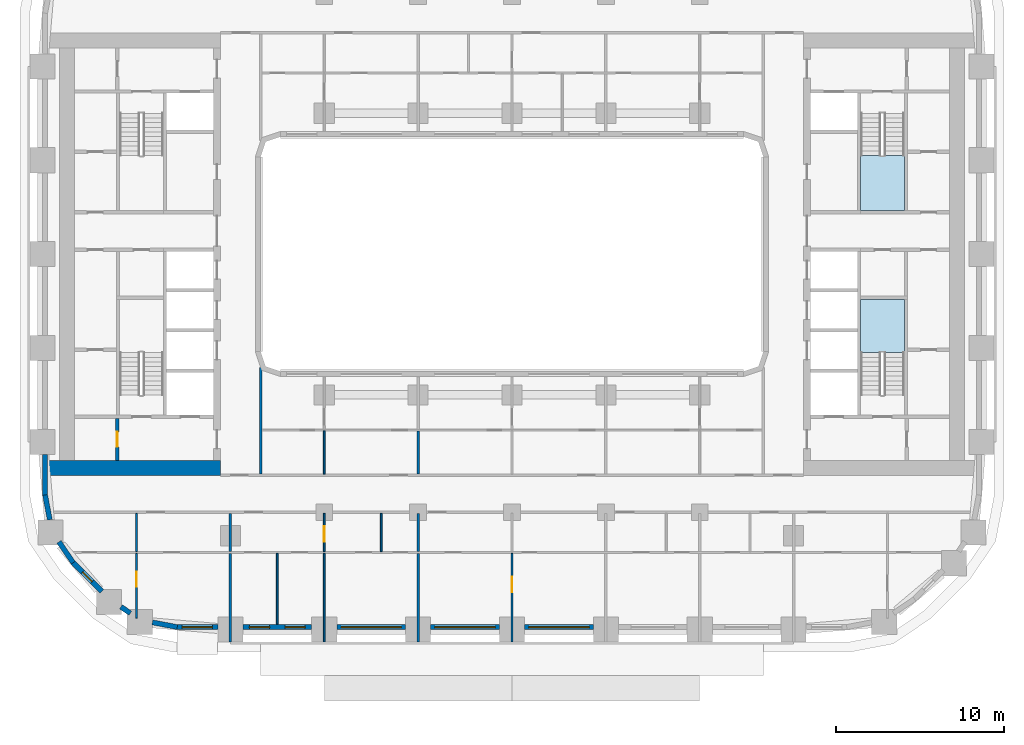
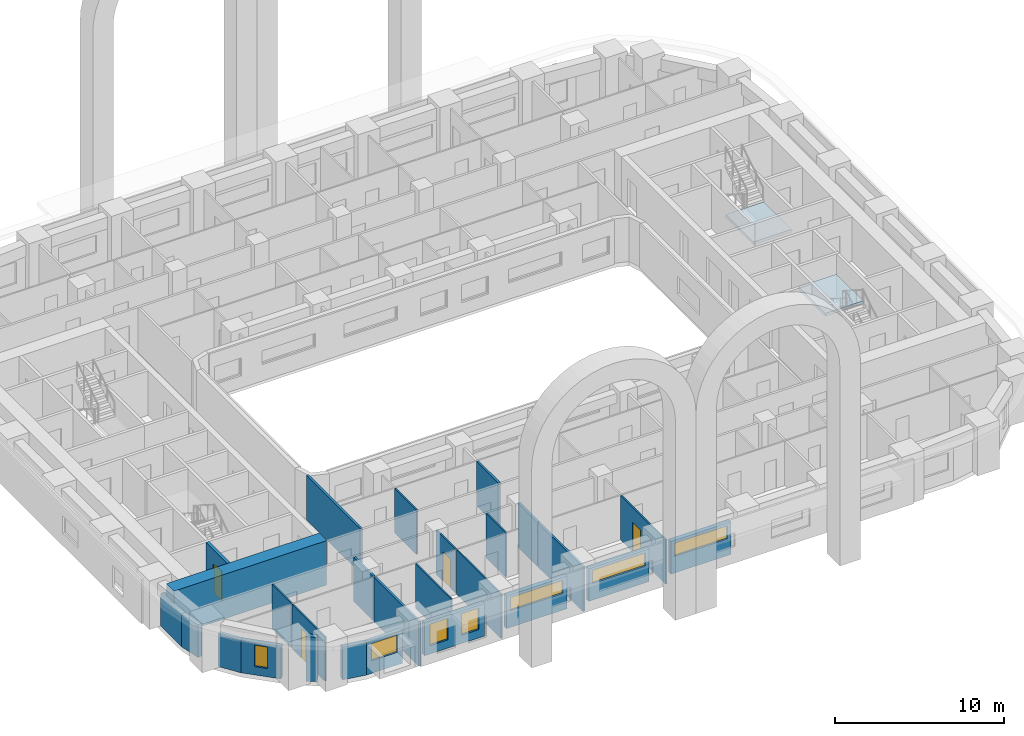
# One storey, part 2 of 21: 27 walls, 7 windows, 4 doors, 2 slabs, 11 openings, 2 elements without a shape of their own.
"""IFC4 building model written with IfcOpenShell, lengths in metres."""

from ifc_helpers import new_model, si_unit, direction, frame, frame_2d, origin, place, context, subcontext, project, spatial, polyline, rectangle, outline, extrude, material, layer, layer_set, type_object, element, fill, aggregate, save


model = new_model("IFC4")

# Units and contexts
model_context = context("Model", 3, precision=1e-05, world=origin(), true_north=direction((0.0, 1.0)))
body_context = subcontext(model_context, "Body", "Model", "MODEL_VIEW")
ifc_project = project(units=[si_unit("LENGTHUNIT", "METRE"), si_unit("AREAUNIT", "SQUARE_METRE"), si_unit("VOLUMEUNIT", "CUBIC_METRE"), si_unit("PLANEANGLEUNIT", "RADIAN"), si_unit("MASSUNIT", "GRAM", prefix="KILO")], contexts=[model_context])

# Site, building, storey
site_placement = place(None, origin())
site = spatial("IfcSite", under=ifc_project, at=site_placement, CompositionType="ELEMENT")
building_placement = place(site_placement, origin())
building = spatial("IfcBuilding", under=site, at=building_placement, Name="Kiln Ring Residences", CompositionType="ELEMENT")
storey_placement = place(building_placement, frame((0.0, 0.0, 51.5)))
storey = spatial("IfcBuildingStorey", under=building, at=storey_placement, Name="L12", CompositionType="ELEMENT", Elevation=51.5)

# Stair, slab
ifc_material_1 = material(Name="Concrete C40/50", Category="concrete")
stair_type = type_object("IfcStairType", Name="CORE-STAIR", PredefinedType="HALF_TURN_STAIR", material=ifc_material_1)
placement_1 = place(storey_placement, origin())
stair_1 = element("IfcStair", 1, at=placement_1, inside=storey, type_object=stair_type, Name="L12 stair E-STN", PredefinedType="HALF_TURN_STAIR")
ifc_material_2 = material(Name="Concrete C40/50", Category="concrete")
ifc_layer_1 = layer(ifc_material_2, 0.199951171875)
ifc_layer_set_1 = layer_set([ifc_layer_1], Name="CORE-STAIR-LANDING")
slab_type = type_object("IfcSlabType", Name="CORE-STAIR-LANDING", PredefinedType="LANDING", material=ifc_layer_set_1)
placement_2 = place(storey_placement, frame((0.0, 0.0, 1.550048828125)))
slab_1 = element("IfcSlab", 2, at=placement_2, type_object=slab_type, Name="E-STN landing 1", PredefinedType="LANDING", context=body_context, shape_type="SweptSolid", body=[
    extrude(outline(polyline([(20.800048828125, 5.8798828125), (20.800048828125, 2.60009765625), (23.39990234375, 2.60009765625), (23.39990234375, 5.8798828125), (20.800048828125, 5.8798828125)])), origin(), (0.0, 0.0, 1.0), 0.199951171875),
])
aggregate(stair_1, [slab_1])

stair_2 = element("IfcStair", 3, at=placement_1, inside=storey, type_object=stair_type, Name="L12 stair E-STS", PredefinedType="HALF_TURN_STAIR")
slab_2 = element("IfcSlab", 4, at=placement_2, type_object=slab_type, Name="E-STS landing 1", PredefinedType="LANDING", context=body_context, shape_type="SweptSolid", body=[
    extrude(outline(polyline([(23.39990234375, -5.8798828125), (23.39990234375, -2.699951171875), (20.800048828125, -2.699951171875), (20.800048828125, -5.8798828125), (23.39990234375, -5.8798828125)])), origin(), (0.0, 0.0, 1.0), 0.199951171875),
])
aggregate(stair_2, [slab_2])

# Wall, opening, door
ifc_material_3 = material(Name="Gypsum board on steel studs", Category="steel")
ifc_layer_2 = layer(ifc_material_3, 0.199951171875)
ifc_layer_set_2 = layer_set([ifc_layer_2], Name="CORE-PARTITION-200")
wall_type_1 = type_object("IfcWallType", Name="CORE-PARTITION-200", PredefinedType="PARTITIONING", material=ifc_layer_set_2)
wall_1_placement = place(storey_placement, frame((-23.550048828125, -12.300048828125, 0.0), z_axis=(0.0, 0.0, 1.0), x_axis=(0.0, 1.0, 0.0)))
wall_1 = element("IfcWall", 5, at=wall_1_placement, inside=storey, type_object=wall_type_1, Name="Core partition west L12 4", PredefinedType="PARTITIONING", context=body_context, shape_type="SweptSolid", body=[
    extrude(rectangle(XDim=2.5, YDim=0.199951171875, at=frame_2d((1.25, 0.0))), origin(), (0.0, 0.0, 1.0), 3.199951171875),
])
opening_1_placement = place(wall_1_placement, frame((0.800048828125, 0.0, 0.0)))
opening_1 = element("IfcOpeningElement", 6, at=opening_1_placement, cuts=wall_1, Name="Opening L12-CW10", PredefinedType="OPENING", context=body_context, shape_type="SweptSolid", body=[
    extrude(rectangle(XDim=0.89990234375, YDim=2.10009765625, at=frame_2d((0.449951171875, 1.050048828125))), frame((0.0, 0.10986328125, 0.0), z_axis=(0.0, -1.0, 0.0), x_axis=(1.0, 0.0, 0.0)), (0.0, 0.0, 1.0), 0.219970703125),
])
ifc_material_4 = material(Name="Steel door leaf", Category="steel")
door_type_1 = type_object("IfcDoorType", Name="CORE-DOOR-ROOM", OperationType="SINGLE_SWING_LEFT", PredefinedType="DOOR", material=ifc_material_4)
door_1_placement = place(opening_1_placement, origin())
door_1 = element("IfcDoor", 7, at=door_1_placement, inside=storey, type_object=door_type_1, Name="Store L12-CW10", OperationType="SINGLE_SWING_RIGHT", OverallHeight=2.10009765625, OverallWidth=0.89990234375, PredefinedType="DOOR", context=body_context, shape_type="SweptSolid", body=[
    extrude(rectangle(XDim=0.89990234375, YDim=2.10009765625, at=frame_2d((0.449951171875, 1.050048828125))), frame((0.0, 0.02490234375, 0.0), z_axis=(0.0, -1.0, 0.0), x_axis=(1.0, 0.0, 0.0)), (0.0, 0.0, 1.0), 0.050048828125),
])
fill(opening_1, door_1)

# Wall
ifc_material_5 = material(Name="Concrete C60/75", Category="concrete")
ifc_layer_3 = layer(ifc_material_5, 0.89990234375)
ifc_layer_set_3 = layer_set([ifc_layer_3], Name="CORE-WALL-RC900")
wall_type_2 = type_object("IfcWallType", Name="CORE-WALL-RC900", PredefinedType="SHEAR", material=ifc_layer_set_3)
wall_2_placement = place(storey_placement, frame((-17.39990234375, -12.75, 0.0), z_axis=(0.0, 0.0, 1.0), x_axis=(-1.0, 0.0, 0.0)))
element("IfcWall", 8, at=wall_2_placement, inside=storey, type_object=wall_type_2, Name="Core wall west L12 5", PredefinedType="SHEAR", context=body_context, shape_type="SweptSolid", body=[
    extrude(rectangle(XDim=10.400146484375, YDim=0.89990234375, at=frame_2d((5.2001953125, 0.0))), origin(), (0.0, 0.0, 1.0), 3.199951171875),
])

# Wall, opening, window
ifc_material_6 = material(Name="Brick masonry, dark clay brick", Category="masonry")
ifc_layer_4 = layer(ifc_material_6, 0.300048828125)
ifc_layer_set_4 = layer_set([ifc_layer_4], Name="EW-300 BRICK WALL")
wall_type_3 = type_object("IfcWallType", Name="EW-300 BRICK WALL", PredefinedType="SOLIDWALL", material=ifc_layer_set_4)
wall_3_placement = place(storey_placement, frame((-26.19677734375, -18.390869140625, 0.0), z_axis=(0.0, 0.0, 1.0), x_axis=(0.707106781187, -0.707106781187, 0.0)))
wall_3 = element("IfcWall", 9, at=wall_3_placement, inside=storey, type_object=wall_type_3, Name="Facade wall L12 1", PredefinedType="SOLIDWALL", context=body_context, shape_type="SweptSolid", body=[
    extrude(rectangle(XDim=2.449951171875, YDim=0.300048828125, at=frame_2d((1.22509765625, 0.0))), origin(), (0.0, 0.0, 1.0), 2.35009765625),
])
opening_2_placement = place(wall_3_placement, frame((0.824951171875, 0.0, 0.60009765625)))
opening_2 = element("IfcOpeningElement", 10, at=opening_2_placement, cuts=wall_3, Name="Opening W5", PredefinedType="OPENING", context=body_context, shape_type="SweptSolid", body=[
    extrude(rectangle(XDim=0.800048828125, YDim=1.550048828125, at=frame_2d((0.39990234375, 0.77490234375))), frame((0.0, 0.159912109375, 0.0), z_axis=(0.0, -1.0, 0.0), x_axis=(1.0, 0.0, 0.0)), (0.0, 0.0, 1.0), 0.320068359375),
])
ifc_material_7 = material(Name="Aluminium frame with double glazing", Category="aluminium")
window_type_1 = type_object("IfcWindowType", Name="WINDOW 800 x 1550", PartitioningType="SINGLE_PANEL", PredefinedType="WINDOW", material=ifc_material_7)
window_1_placement = place(opening_2_placement, origin())
window_1 = element("IfcWindow", 11, at=window_1_placement, inside=storey, type_object=window_type_1, Name="Window L12 1", OverallHeight=1.550048828125, OverallWidth=0.800048828125, PartitioningType="SINGLE_PANEL", PredefinedType="WINDOW", context=body_context, shape_type="SweptSolid", body=[
    extrude(rectangle(XDim=0.800048828125, YDim=1.550048828125, at=frame_2d((0.39990234375, 0.77490234375))), frame((0.0, 0.030029296875, 0.0), z_axis=(0.0, -1.0, 0.0), x_axis=(1.0, 0.0, 0.0)), (0.0, 0.0, 1.0), 0.06005859375),
])
fill(opening_2, window_1)

# Walls
wall_4_placement = place(storey_placement, frame((-23.3271484375, -21.044921875, 0.0), z_axis=(0.0, 0.0, 1.0), x_axis=(0.827080706709, -0.562083182981, 0.0)))
element("IfcWall", 12, at=wall_4_placement, inside=storey, type_object=wall_type_3, Name="Facade wall L12 2", PredefinedType="SOLIDWALL", context=body_context, shape_type="SweptSolid", body=[
    extrude(rectangle(XDim=0.67724609375, YDim=0.300048828125, at=frame_2d((0.338623046875, 0.0))), origin(), (0.0, 0.0, 1.0), 3.199951171875),
])
wall_5_placement = place(storey_placement, frame((-21.451416015625, -21.970458984375, 0.0), z_axis=(0.0, 0.0, 1.0), x_axis=(0.982287454367, -0.187380247071, 0.0)))
element("IfcWall", 13, at=wall_5_placement, inside=storey, type_object=wall_type_3, Name="Facade wall L12 3", PredefinedType="SOLIDWALL", context=body_context, shape_type="SweptSolid", body=[
    extrude(rectangle(XDim=1.506103515625, YDim=0.300048828125, at=frame_2d((0.7529296875, 0.0))), origin(), (0.0, 0.0, 1.0), 2.35009765625),
])

# Wall, opening, window
wall_6_placement = place(storey_placement, frame((-20.0, -22.25, 0.0), z_axis=(0.0, 0.0, 1.0), x_axis=(1.0, 0.0, 0.0)))
wall_6 = element("IfcWall", 14, at=wall_6_placement, inside=storey, type_object=wall_type_3, Name="Facade wall L12 4", PredefinedType="SOLIDWALL", context=body_context, shape_type="SweptSolid", body=[
    extrude(rectangle(XDim=2.449951171875, YDim=0.300048828125, at=frame_2d((1.22509765625, 0.0))), origin(), (0.0, 0.0, 1.0), 2.35009765625),
])
opening_3_placement = place(wall_6_placement, frame((0.324951171875, 0.0, 0.89990234375)))
opening_3 = element("IfcOpeningElement", 15, at=opening_3_placement, cuts=wall_6, Name="Opening W2", PredefinedType="OPENING", context=body_context, shape_type="SweptSolid", body=[
    extrude(rectangle(XDim=1.800048828125, YDim=1.25, at=frame_2d((0.89990234375, 0.625))), frame((0.0, 0.159912109375, 0.0), z_axis=(0.0, -1.0, 0.0), x_axis=(1.0, 0.0, 0.0)), (0.0, 0.0, 1.0), 0.320068359375),
])
ifc_material_8 = material(Name="Aluminium frame with double glazing", Category="aluminium")
window_type_2 = type_object("IfcWindowType", Name="WINDOW 1800 x 1250", PartitioningType="SINGLE_PANEL", PredefinedType="WINDOW", material=ifc_material_8)
window_2_placement = place(opening_3_placement, origin())
window_2 = element("IfcWindow", 16, at=window_2_placement, inside=storey, type_object=window_type_2, Name="Window L12 2", OverallHeight=1.25, OverallWidth=1.800048828125, PartitioningType="SINGLE_PANEL", PredefinedType="WINDOW", context=body_context, shape_type="SweptSolid", body=[
    extrude(rectangle(XDim=1.800048828125, YDim=1.25, at=frame_2d((0.89990234375, 0.625))), frame((0.0, 0.030029296875, 0.0), z_axis=(0.0, -1.0, 0.0), x_axis=(1.0, 0.0, 0.0)), (0.0, 0.0, 1.0), 0.06005859375),
])
fill(opening_3, window_2)

# Wall, openings, windows
wall_7_placement = place(storey_placement, frame((-16.050048828125, -22.25, 0.0), z_axis=(0.0, 0.0, 1.0), x_axis=(1.0, 0.0, 0.0)))
wall_7 = element("IfcWall", 17, at=wall_7_placement, inside=storey, type_object=wall_type_3, Name="Facade wall L12 5", PredefinedType="SOLIDWALL", context=body_context, shape_type="SweptSolid", body=[
    extrude(rectangle(XDim=4.10009765625, YDim=0.300048828125, at=frame_2d((2.050048828125, 0.0))), origin(), (0.0, 0.0, 1.0), 2.35009765625),
])
opening_4_placement = place(wall_7_placement, frame((0.387451171875, 0.0, 0.60009765625)))
opening_4 = element("IfcOpeningElement", 18, at=opening_4_placement, cuts=wall_7, Name="Opening W1", PredefinedType="OPENING", context=body_context, shape_type="SweptSolid", body=[
    extrude(rectangle(XDim=1.199951171875, YDim=1.550048828125, at=frame_2d((0.60009765625, 0.77490234375))), frame((0.0, 0.159912109375, 0.0), z_axis=(0.0, -1.0, 0.0), x_axis=(1.0, 0.0, 0.0)), (0.0, 0.0, 1.0), 0.320068359375),
])
opening_5_placement = place(wall_7_placement, frame((2.512451171875, 0.0, 0.60009765625)))
opening_5 = element("IfcOpeningElement", 19, at=opening_5_placement, cuts=wall_7, Name="Opening W1", PredefinedType="OPENING", context=body_context, shape_type="SweptSolid", body=[
    extrude(rectangle(XDim=1.199951171875, YDim=1.550048828125, at=frame_2d((0.60009765625, 0.77490234375))), frame((0.0, 0.159912109375, 0.0), z_axis=(0.0, -1.0, 0.0), x_axis=(1.0, 0.0, 0.0)), (0.0, 0.0, 1.0), 0.320068359375),
])
ifc_material_9 = material(Name="Aluminium frame with double glazing", Category="aluminium")
window_type_3 = type_object("IfcWindowType", Name="WINDOW 1200 x 1550", PartitioningType="SINGLE_PANEL", PredefinedType="WINDOW", material=ifc_material_9)
window_3_placement = place(opening_4_placement, origin())
window_3 = element("IfcWindow", 20, at=window_3_placement, inside=storey, type_object=window_type_3, Name="Window L12 3", OverallHeight=1.550048828125, OverallWidth=1.199951171875, PartitioningType="SINGLE_PANEL", PredefinedType="WINDOW", context=body_context, shape_type="SweptSolid", body=[
    extrude(rectangle(XDim=1.199951171875, YDim=1.550048828125, at=frame_2d((0.60009765625, 0.77490234375))), frame((0.0, 0.030029296875, 0.0), z_axis=(0.0, -1.0, 0.0), x_axis=(1.0, 0.0, 0.0)), (0.0, 0.0, 1.0), 0.06005859375),
])
fill(opening_4, window_3)
window_4_placement = place(opening_5_placement, origin())
window_4 = element("IfcWindow", 21, at=window_4_placement, inside=storey, type_object=window_type_3, Name="Window L12 4", OverallHeight=1.550048828125, OverallWidth=1.199951171875, PartitioningType="SINGLE_PANEL", PredefinedType="WINDOW", context=body_context, shape_type="SweptSolid", body=[
    extrude(rectangle(XDim=1.199951171875, YDim=1.550048828125, at=frame_2d((0.60009765625, 0.77490234375))), frame((0.0, 0.030029296875, 0.0), z_axis=(0.0, -1.0, 0.0), x_axis=(1.0, 0.0, 0.0)), (0.0, 0.0, 1.0), 0.06005859375),
])
fill(opening_5, window_4)

# Wall, opening, window
wall_8_placement = place(storey_placement, frame((-10.449951171875, -22.25, 0.0), z_axis=(0.0, 0.0, 1.0), x_axis=(1.0, 0.0, 0.0)))
wall_8 = element("IfcWall", 22, at=wall_8_placement, inside=storey, type_object=wall_type_3, Name="Facade wall L12 6", PredefinedType="SOLIDWALL", context=body_context, shape_type="SweptSolid", body=[
    extrude(rectangle(XDim=4.099853515625, YDim=0.300048828125, at=frame_2d((2.0498046875, 0.0))), origin(), (0.0, 0.0, 1.0), 2.35009765625),
])
opening_6_placement = place(wall_8_placement, frame((0.25, 0.0, 1.199951171875)))
opening_6 = element("IfcOpeningElement", 23, at=opening_6_placement, cuts=wall_8, Name="Opening W4", PredefinedType="OPENING", context=body_context, shape_type="SweptSolid", body=[
    extrude(rectangle(XDim=3.60009765625, YDim=0.949951171875, at=frame_2d((1.800048828125, 0.47509765625))), frame((0.0, 0.159912109375, 0.0), z_axis=(0.0, -1.0, 0.0), x_axis=(1.0, 0.0, 0.0)), (0.0, 0.0, 1.0), 0.320068359375),
])
ifc_material_10 = material(Name="Aluminium frame with double glazing", Category="aluminium")
window_type_4 = type_object("IfcWindowType", Name="WINDOW 3600 x 950", PartitioningType="SINGLE_PANEL", PredefinedType="WINDOW", material=ifc_material_10)
window_5_placement = place(opening_6_placement, origin())
window_5 = element("IfcWindow", 24, at=window_5_placement, inside=storey, type_object=window_type_4, Name="Window L12 5", OverallHeight=0.949951171875, OverallWidth=3.60009765625, PartitioningType="SINGLE_PANEL", PredefinedType="WINDOW", context=body_context, shape_type="SweptSolid", body=[
    extrude(rectangle(XDim=3.60009765625, YDim=0.949951171875, at=frame_2d((1.800048828125, 0.47509765625))), frame((0.0, 0.030029296875, 0.0), z_axis=(0.0, -1.0, 0.0), x_axis=(1.0, 0.0, 0.0)), (0.0, 0.0, 1.0), 0.06005859375),
])
fill(opening_6, window_5)

wall_9_placement = place(storey_placement, frame((-4.85009765625, -22.25, 0.0), z_axis=(0.0, 0.0, 1.0), x_axis=(1.0, 0.0, 0.0)))
wall_9 = element("IfcWall", 25, at=wall_9_placement, inside=storey, type_object=wall_type_3, Name="Facade wall L12 7", PredefinedType="SOLIDWALL", context=body_context, shape_type="SweptSolid", body=[
    extrude(rectangle(XDim=4.10009765625, YDim=0.300048828125, at=frame_2d((2.050048828125, 0.0))), origin(), (0.0, 0.0, 1.0), 2.35009765625),
])
opening_7_placement = place(wall_9_placement, frame((0.25, 0.0, 1.199951171875)))
opening_7 = element("IfcOpeningElement", 26, at=opening_7_placement, cuts=wall_9, Name="Opening W4", PredefinedType="OPENING", context=body_context, shape_type="SweptSolid", body=[
    extrude(rectangle(XDim=3.60009765625, YDim=0.949951171875, at=frame_2d((1.800048828125, 0.47509765625))), frame((0.0, 0.159912109375, 0.0), z_axis=(0.0, -1.0, 0.0), x_axis=(1.0, 0.0, 0.0)), (0.0, 0.0, 1.0), 0.320068359375),
])
window_6_placement = place(opening_7_placement, origin())
window_6 = element("IfcWindow", 27, at=window_6_placement, inside=storey, type_object=window_type_4, Name="Window L12 6", OverallHeight=0.949951171875, OverallWidth=3.60009765625, PartitioningType="SINGLE_PANEL", PredefinedType="WINDOW", context=body_context, shape_type="SweptSolid", body=[
    extrude(rectangle(XDim=3.60009765625, YDim=0.949951171875, at=frame_2d((1.800048828125, 0.47509765625))), frame((0.0, 0.030029296875, 0.0), z_axis=(0.0, -1.0, 0.0), x_axis=(1.0, 0.0, 0.0)), (0.0, 0.0, 1.0), 0.06005859375),
])
fill(opening_7, window_6)

wall_10_placement = place(storey_placement, frame((0.75, -22.25, 0.0), z_axis=(0.0, 0.0, 1.0), x_axis=(1.0, 0.0, 0.0)))
wall_10 = element("IfcWall", 28, at=wall_10_placement, inside=storey, type_object=wall_type_3, Name="Facade wall L12 8", PredefinedType="SOLIDWALL", context=body_context, shape_type="SweptSolid", body=[
    extrude(rectangle(XDim=4.10009765625, YDim=0.300048828125, at=frame_2d((2.050048828125, 0.0))), origin(), (0.0, 0.0, 1.0), 2.35009765625),
])
opening_8_placement = place(wall_10_placement, frame((0.25, 0.0, 1.199951171875)))
opening_8 = element("IfcOpeningElement", 29, at=opening_8_placement, cuts=wall_10, Name="Opening W4", PredefinedType="OPENING", context=body_context, shape_type="SweptSolid", body=[
    extrude(rectangle(XDim=3.60009765625, YDim=0.949951171875, at=frame_2d((1.800048828125, 0.47509765625))), frame((0.0, 0.159912109375, 0.0), z_axis=(0.0, -1.0, 0.0), x_axis=(1.0, 0.0, 0.0)), (0.0, 0.0, 1.0), 0.320068359375),
])
window_7_placement = place(opening_8_placement, origin())
window_7 = element("IfcWindow", 30, at=window_7_placement, inside=storey, type_object=window_type_4, Name="Window L12 7", OverallHeight=0.949951171875, OverallWidth=3.60009765625, PartitioningType="SINGLE_PANEL", PredefinedType="WINDOW", context=body_context, shape_type="SweptSolid", body=[
    extrude(rectangle(XDim=3.60009765625, YDim=0.949951171875, at=frame_2d((1.800048828125, 0.47509765625))), frame((0.0, 0.030029296875, 0.0), z_axis=(0.0, -1.0, 0.0), x_axis=(1.0, 0.0, 0.0)), (0.0, 0.0, 1.0), 0.06005859375),
])
fill(opening_8, window_7)

# Walls
wall_11_placement = place(storey_placement, frame((-27.85009765625, -11.949951171875, 0.0), z_axis=(0.0, 0.0, 1.0), x_axis=(0.0, -1.0, 0.0)))
element("IfcWall", 31, at=wall_11_placement, inside=storey, type_object=wall_type_3, Name="Facade wall L12 46", PredefinedType="SOLIDWALL", context=body_context, shape_type="SweptSolid", body=[
    extrude(rectangle(XDim=2.449951171875, YDim=0.300048828125, at=frame_2d((1.22509765625, 0.0))), origin(), (0.0, 0.0, 1.0), 2.35009765625),
])
for number, where, z_axis, x_axis, name in (
    (32, (-27.8525390625, -14.371826171875, 0.0), (0.0, 0.0, 1.0), (0.187223837635, -0.982317277982, 0.0), "Facade wall L12 47"),
    (33, (-27.025390625, -17.1669921875, 0.0), (0.0, 0.0, 1.0), (0.561973021955, -0.827155561303, 0.0), "Facade wall L12 48"),
):
    element("IfcWall", number, at=place(storey_placement, frame(where, z_axis=z_axis, x_axis=x_axis)), inside=storey, type_object=wall_type_3, Name=name, PredefinedType="SOLIDWALL", context=body_context, shape_type="SweptSolid", body=[
        extrude(rectangle(XDim=1.506103515625, YDim=0.300048828125, at=frame_2d((0.7529296875, 0.0))), origin(), (0.0, 0.0, 1.0), 2.35009765625),
    ])

# Wall, opening, door
ifc_material_11 = material(Name="Gypsum board on steel studs", Category="steel")
ifc_layer_5 = layer(ifc_material_11, 0.10009765625)
ifc_layer_set_5 = layer_set([ifc_layer_5], Name="PARTITION-100")
wall_type_4 = type_object("IfcWallType", Name="PARTITION-100", PredefinedType="PARTITIONING", material=ifc_layer_set_5)
wall_12_placement = place(storey_placement, frame((-22.39990234375, -21.719970703125, 0.0), z_axis=(0.0, 0.0, 1.0), x_axis=(0.0, 1.0, 0.0)))
wall_12 = element("IfcWall", 34, at=wall_12_placement, inside=storey, type_object=wall_type_4, Name="Partition 008", PredefinedType="PARTITIONING", context=body_context, shape_type="SweptSolid", body=[
    extrude(rectangle(XDim=3.869873046875, YDim=0.10009765625, at=frame_2d((1.93505859375, 0.0))), origin(), (0.0, 0.0, 1.0), 3.199951171875),
])
opening_9_placement = place(wall_12_placement, frame((1.8701171875, 0.0, 0.0)))
opening_9 = element("IfcOpeningElement", 35, at=opening_9_placement, cuts=wall_12, Name="Opening L12-D056", PredefinedType="OPENING", context=body_context, shape_type="SweptSolid", body=[
    extrude(rectangle(XDim=0.89990234375, YDim=2.10009765625, at=frame_2d((0.449951171875, 1.050048828125))), frame((0.0, 0.06005859375, 0.0), z_axis=(0.0, -1.0, 0.0), x_axis=(1.0, 0.0, 0.0)), (0.0, 0.0, 1.0), 0.1201171875),
])
ifc_material_12 = material(Name="Timber door leaf", Category="wood")
door_type_2 = type_object("IfcDoorType", Name="FLAT-DOOR-900-PL", OperationType="SINGLE_SWING_LEFT", PredefinedType="DOOR", material=ifc_material_12)
door_2_placement = place(opening_9_placement, origin())
door_2 = element("IfcDoor", 36, at=door_2_placement, inside=storey, type_object=door_type_2, Name="Door L12-D056", OperationType="SINGLE_SWING_LEFT", OverallHeight=2.10009765625, OverallWidth=0.89990234375, PredefinedType="DOOR", context=body_context, shape_type="SweptSolid", body=[
    extrude(rectangle(XDim=0.89990234375, YDim=2.10009765625, at=frame_2d((0.449951171875, 1.050048828125))), frame((0.0, 0.02490234375, 0.0), z_axis=(0.0, -1.0, 0.0), x_axis=(1.0, 0.0, 0.0)), (0.0, 0.0, 1.0), 0.050048828125),
])
fill(opening_9, door_2)

# Walls
wall_13_placement = place(storey_placement, frame((-22.39990234375, -17.75, 0.0), z_axis=(0.0, 0.0, 1.0), x_axis=(0.0, 1.0, 0.0)))
element("IfcWall", 37, at=wall_13_placement, inside=storey, type_object=wall_type_4, Name="Partition 009", PredefinedType="PARTITIONING", context=body_context, shape_type="SweptSolid", body=[
    extrude(rectangle(XDim=2.27490234375, YDim=0.10009765625, at=frame_2d((1.137451171875, 0.0))), origin(), (0.0, 0.0, 1.0), 3.199951171875),
])
wall_14_placement = place(storey_placement, frame((-14.0, -22.080078125, 0.0), z_axis=(0.0, 0.0, 1.0), x_axis=(0.0, 1.0, 0.0)))
element("IfcWall", 38, at=wall_14_placement, inside=storey, type_object=wall_type_4, Name="Partition 018", PredefinedType="PARTITIONING", context=body_context, shape_type="SweptSolid", body=[
    extrude(rectangle(XDim=4.22998046875, YDim=0.10009765625, at=frame_2d((2.114990234375, 0.0))), origin(), (0.0, 0.0, 1.0), 3.199951171875),
])
wall_15_placement = place(storey_placement, frame((-11.199951171875, -23.1298828125, 0.0), z_axis=(0.0, 0.0, 1.0), x_axis=(0.0, 1.0, 0.0)))
element("IfcWall", 39, at=wall_15_placement, inside=storey, type_object=wall_type_4, Name="Partition 020", PredefinedType="PARTITIONING", context=body_context, shape_type="SweptSolid", body=[
    extrude(rectangle(XDim=5.27978515625, YDim=0.10009765625, at=frame_2d((2.639892578125, 0.0))), origin(), (0.0, 0.0, 1.0), 3.199951171875),
])

# Wall, opening, door
wall_16_placement = place(storey_placement, frame((-11.199951171875, -17.75, 0.0), z_axis=(0.0, 0.0, 1.0), x_axis=(0.0, 1.0, 0.0)))
wall_16 = element("IfcWall", 40, at=wall_16_placement, inside=storey, type_object=wall_type_4, Name="Partition 021", PredefinedType="PARTITIONING", context=body_context, shape_type="SweptSolid", body=[
    extrude(rectangle(XDim=2.27490234375, YDim=0.10009765625, at=frame_2d((1.137451171875, 0.0))), origin(), (0.0, 0.0, 1.0), 3.199951171875),
])
opening_10_placement = place(wall_16_placement, frame((0.60009765625, 0.0, 0.0)))
opening_10 = element("IfcOpeningElement", 41, at=opening_10_placement, cuts=wall_16, Name="Opening L12-D058", PredefinedType="OPENING", context=body_context, shape_type="SweptSolid", body=[
    extrude(rectangle(XDim=0.89990234375, YDim=2.10009765625, at=frame_2d((0.449951171875, 1.050048828125))), frame((0.0, 0.06005859375, 0.0), z_axis=(0.0, -1.0, 0.0), x_axis=(1.0, 0.0, 0.0)), (0.0, 0.0, 1.0), 0.1201171875),
])
door_3_placement = place(opening_10_placement, origin())
door_3 = element("IfcDoor", 42, at=door_3_placement, inside=storey, type_object=door_type_2, Name="Door L12-D058", OperationType="SINGLE_SWING_RIGHT", OverallHeight=2.10009765625, OverallWidth=0.89990234375, PredefinedType="DOOR", context=body_context, shape_type="SweptSolid", body=[
    extrude(rectangle(XDim=0.89990234375, YDim=2.10009765625, at=frame_2d((0.449951171875, 1.050048828125))), frame((0.0, 0.02490234375, 0.0), z_axis=(0.0, -1.0, 0.0), x_axis=(1.0, 0.0, 0.0)), (0.0, 0.0, 1.0), 0.050048828125),
])
fill(opening_10, door_3)

# Walls
wall_17_placement = place(storey_placement, frame((-11.199951171875, -13.125, 0.0), z_axis=(0.0, 0.0, 1.0), x_axis=(0.0, 1.0, 0.0)))
element("IfcWall", 43, at=wall_17_placement, inside=storey, type_object=wall_type_4, Name="Partition 022", PredefinedType="PARTITIONING", context=body_context, shape_type="SweptSolid", body=[
    extrude(rectangle(XDim=2.574951171875, YDim=0.10009765625, at=frame_2d((1.28759765625, 0.0))), origin(), (0.0, 0.0, 1.0), 3.199951171875),
])
wall_18_placement = place(storey_placement, frame((-7.800048828125, -17.75, 0.0), z_axis=(0.0, 0.0, 1.0), x_axis=(0.0, 1.0, 0.0)))
element("IfcWall", 44, at=wall_18_placement, inside=storey, type_object=wall_type_4, Name="Partition 028", PredefinedType="PARTITIONING", context=body_context, shape_type="SweptSolid", body=[
    extrude(rectangle(XDim=2.27490234375, YDim=0.10009765625, at=frame_2d((1.137451171875, 0.0))), origin(), (0.0, 0.0, 1.0), 3.199951171875),
])

# Wall, opening, door
wall_19_placement = place(storey_placement, frame((0.0, -23.1298828125, 0.0), z_axis=(0.0, 0.0, 1.0), x_axis=(0.0, 1.0, 0.0)))
wall_19 = element("IfcWall", 45, at=wall_19_placement, inside=storey, type_object=wall_type_4, Name="Partition 038", PredefinedType="PARTITIONING", context=body_context, shape_type="SweptSolid", body=[
    extrude(rectangle(XDim=5.27978515625, YDim=0.10009765625, at=frame_2d((2.639892578125, 0.0))), origin(), (0.0, 0.0, 1.0), 3.199951171875),
])
opening_11_placement = place(wall_19_placement, frame((2.969970703125, 0.0, 0.0)))
opening_11 = element("IfcOpeningElement", 46, at=opening_11_placement, cuts=wall_19, Name="Opening L12-D066", PredefinedType="OPENING", context=body_context, shape_type="SweptSolid", body=[
    extrude(rectangle(XDim=0.89990234375, YDim=2.10009765625, at=frame_2d((0.449951171875, 1.050048828125))), frame((0.0, 0.06005859375, 0.0), z_axis=(0.0, -1.0, 0.0), x_axis=(1.0, 0.0, 0.0)), (0.0, 0.0, 1.0), 0.1201171875),
])
door_4_placement = place(opening_11_placement, origin())
door_4 = element("IfcDoor", 47, at=door_4_placement, inside=storey, type_object=door_type_2, Name="Door L12-D066", OperationType="SINGLE_SWING_RIGHT", OverallHeight=2.10009765625, OverallWidth=0.89990234375, PredefinedType="DOOR", context=body_context, shape_type="SweptSolid", body=[
    extrude(rectangle(XDim=0.89990234375, YDim=2.10009765625, at=frame_2d((0.449951171875, 1.050048828125))), frame((0.0, 0.02490234375, 0.0), z_axis=(0.0, -1.0, 0.0), x_axis=(1.0, 0.0, 0.0)), (0.0, 0.0, 1.0), 0.050048828125),
])
fill(opening_11, door_4)

# Walls
ifc_material_13 = material(Name="Brick masonry partition", Category="masonry")
ifc_layer_6 = layer(ifc_material_13, 0.14990234375)
ifc_layer_set_6 = layer_set([ifc_layer_6], Name="PARTITION-150-ei60")
wall_type_5 = type_object("IfcWallType", Name="PARTITION-150-ei60", PredefinedType="PARTITIONING", material=ifc_layer_set_6)
wall_20_placement = place(storey_placement, frame((-16.800048828125, -23.1298828125, 0.0), z_axis=(0.0, 0.0, 1.0), x_axis=(0.0, 1.0, 0.0)))
element("IfcWall", 48, at=wall_20_placement, inside=storey, type_object=wall_type_5, Name="Partition 012", PredefinedType="PARTITIONING", context=body_context, shape_type="SweptSolid", body=[
    extrude(rectangle(XDim=5.27978515625, YDim=0.14990234375, at=frame_2d((2.639892578125, 0.0))), origin(), (0.0, 0.0, 1.0), 3.199951171875),
])
wall_21_placement = place(storey_placement, frame((-16.800048828125, -17.75, 0.0), z_axis=(0.0, 0.0, 1.0), x_axis=(0.0, 1.0, 0.0)))
element("IfcWall", 49, at=wall_21_placement, inside=storey, type_object=wall_type_5, Name="Partition 013", PredefinedType="PARTITIONING", context=body_context, shape_type="SweptSolid", body=[
    extrude(rectangle(XDim=2.27490234375, YDim=0.14990234375, at=frame_2d((1.137451171875, 0.0))), origin(), (0.0, 0.0, 1.0), 3.199951171875),
])
wall_22_placement = place(storey_placement, frame((-15.0, -13.125, 0.0), z_axis=(0.0, 0.0, 1.0), x_axis=(0.0, 1.0, 0.0)))
element("IfcWall", 50, at=wall_22_placement, inside=storey, type_object=wall_type_5, Name="Partition 016", PredefinedType="PARTITIONING", context=body_context, shape_type="SweptSolid", body=[
    extrude(rectangle(XDim=6.356201171875, YDim=0.14990234375, at=frame_2d((3.17822265625, 0.0))), origin(), (0.0, 0.0, 1.0), 3.199951171875),
])
wall_23_placement = place(storey_placement, frame((-5.60009765625, -23.1298828125, 0.0), z_axis=(0.0, 0.0, 1.0), x_axis=(0.0, 1.0, 0.0)))
element("IfcWall", 51, at=wall_23_placement, inside=storey, type_object=wall_type_5, Name="Partition 031", PredefinedType="PARTITIONING", context=body_context, shape_type="SweptSolid", body=[
    extrude(rectangle(XDim=5.27978515625, YDim=0.14990234375, at=frame_2d((2.639892578125, 0.0))), origin(), (0.0, 0.0, 1.0), 3.199951171875),
])
wall_24_placement = place(storey_placement, frame((-5.60009765625, -17.75, 0.0), z_axis=(0.0, 0.0, 1.0), x_axis=(0.0, 1.0, 0.0)))
element("IfcWall", 52, at=wall_24_placement, inside=storey, type_object=wall_type_5, Name="Partition 032", PredefinedType="PARTITIONING", context=body_context, shape_type="SweptSolid", body=[
    extrude(rectangle(XDim=2.27490234375, YDim=0.14990234375, at=frame_2d((1.137451171875, 0.0))), origin(), (0.0, 0.0, 1.0), 3.199951171875),
])
wall_25_placement = place(storey_placement, frame((-5.60009765625, -13.125, 0.0), z_axis=(0.0, 0.0, 1.0), x_axis=(0.0, 1.0, 0.0)))
element("IfcWall", 53, at=wall_25_placement, inside=storey, type_object=wall_type_5, Name="Partition 033", PredefinedType="PARTITIONING", context=body_context, shape_type="SweptSolid", body=[
    extrude(rectangle(XDim=2.574951171875, YDim=0.14990234375, at=frame_2d((1.28759765625, 0.0))), origin(), (0.0, 0.0, 1.0), 3.199951171875),
])

save(model, "model.ifc")
